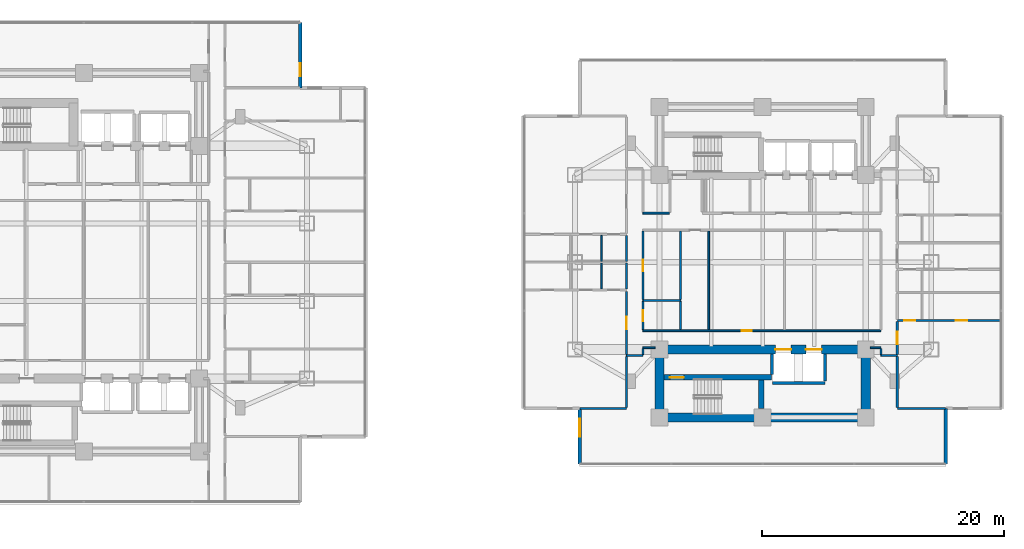
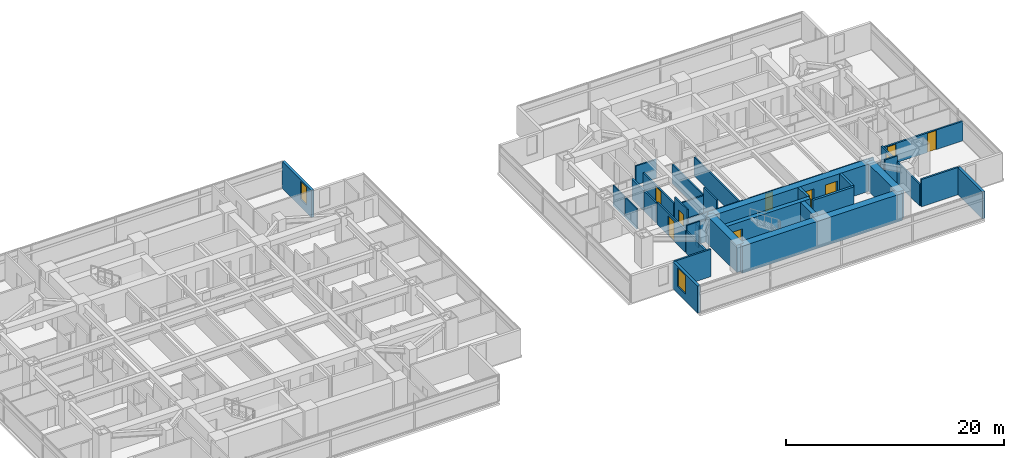
# One storey, part 18 of 26: 37 walls, 10 doors, 2 windows, 12 openings.
"""IFC4 building model written with IfcOpenShell, lengths in metres."""

from ifc_helpers import new_model, si_unit, direction, frame, frame_2d, origin, place, context, subcontext, project, spatial, rectangle, extrude, material, layer, layer_set, type_object, element, fill, save


model = new_model("IFC4")

# Units and contexts
model_context = context("Model", 3, precision=1e-05, world=origin(), true_north=direction((0.0, 1.0)))
body_context = subcontext(model_context, "Body", "Model", "MODEL_VIEW")
ifc_project = project(units=[si_unit("LENGTHUNIT", "METRE"), si_unit("AREAUNIT", "SQUARE_METRE"), si_unit("VOLUMEUNIT", "CUBIC_METRE"), si_unit("PLANEANGLEUNIT", "RADIAN"), si_unit("MASSUNIT", "GRAM", prefix="KILO")], contexts=[model_context])

# Site, building, storey
site_placement = place(None, origin())
site = spatial("IfcSite", under=ifc_project, at=site_placement, CompositionType="ELEMENT")
building_placement = place(site_placement, origin())
building = spatial("IfcBuilding", under=site, at=building_placement, Name="Mirazonda Arch Towers", CompositionType="ELEMENT")
storey_placement = place(building_placement, frame((0.0, 0.0, 48.800048828125)))
storey = spatial("IfcBuildingStorey", under=building, at=storey_placement, Name="L13", CompositionType="ELEMENT", Elevation=48.800048828125)

# Wall, opening, door
ifc_material_1 = material(Name="Concrete C50/60", Category="concrete")
ifc_layer_1 = layer(ifc_material_1, 0.449951171875, Name="WALL-CORE-450")
ifc_layer_set_1 = layer_set([ifc_layer_1], Name="Concrete C50/60")
wall_type_1 = type_object("IfcWallType", Name="WALL-CORE-450", PredefinedType="SHEAR", material=ifc_layer_set_1)
wall_1_placement = place(storey_placement, frame((68.3701171875, 18.5, 0.0), z_axis=(0.0, 0.0, 1.0), x_axis=(1.0, 0.0, 0.0)))
wall_1 = element("IfcWall", 1, at=wall_1_placement, inside=storey, type_object=wall_type_1, Name="L13 Stair Core Shear Wall 015", PredefinedType="SHEAR", context=body_context, shape_type="SweptSolid", body=[
    extrude(rectangle(XDim=8.849853515625, YDim=0.449951171875, at=frame_2d((4.4248046875, 0.0))), origin(), (0.0, 0.0, 1.0), 3.06005859375),
])
opening_1_placement = place(wall_1_placement, frame((0.469970703125, 0.0, 0.0)))
opening_1 = element("IfcOpeningElement", 2, at=opening_1_placement, cuts=wall_1, Name="Opening DR-135", PredefinedType="OPENING", context=body_context, shape_type="SweptSolid", body=[
    extrude(rectangle(XDim=1.14990234375, YDim=2.199951171875, at=frame_2d((0.574951171875, 1.10009765625))), frame((0.0, 0.23486328125, 0.0), z_axis=(0.0, -1.0, 0.0), x_axis=(1.0, 0.0, 0.0)), (0.0, 0.0, 1.0), 0.469970703125),
])
ifc_material_2 = material(Name="Architectural Brushed Steel S355", Category="steel")
door_type_1 = type_object("IfcDoorType", Name="DOOR-STAIR-FD90-1150", OperationType="NOTDEFINED", PredefinedType="DOOR", material=ifc_material_2)
door_1_placement = place(opening_1_placement, origin())
door_1 = element("IfcDoor", 3, at=door_1_placement, inside=storey, type_object=door_type_1, Name="L13 East Protected Stair South Door", OperationType="SINGLE_SWING_RIGHT", OverallHeight=2.199951171875, OverallWidth=1.14990234375, PredefinedType="DOOR", context=body_context, shape_type="SweptSolid", body=[
    extrude(rectangle(XDim=1.14990234375, YDim=2.199951171875, at=frame_2d((0.574951171875, 1.10009765625))), frame((0.0, 0.02490234375, 0.0), z_axis=(0.0, -1.0, 0.0), x_axis=(1.0, 0.0, 0.0)), (0.0, 0.0, 1.0), 0.050048828125),
])
fill(opening_1, door_1)

# Walls
wall_2_placement = place(storey_placement, frame((76.360107421875, 15.9150390625, 0.0), z_axis=(0.0, 0.0, 1.0), x_axis=(0.0, 1.0, 0.0)))
element("IfcWall", 4, at=wall_2_placement, inside=storey, type_object=wall_type_1, Name="L13 Stair Core Shear Wall 145", PredefinedType="SHEAR", context=body_context, shape_type="SweptSolid", body=[
    extrude(rectangle(XDim=2.349853515625, YDim=0.449951171875, at=frame_2d((1.1748046875, 0.0))), origin(), (0.0, 0.0, 1.0), 3.06005859375),
])
ifc_material_3 = material(Name="Concrete C60/75", Category="concrete")
ifc_layer_2 = layer(ifc_material_3, 0.75, Name="WALL-CORE-750")
ifc_layer_set_2 = layer_set([ifc_layer_2], Name="Concrete C60/75")
wall_type_2 = type_object("IfcWallType", Name="WALL-CORE-750", PredefinedType="SHEAR", material=ifc_layer_set_2)
wall_3_placement = place(storey_placement, frame((68.0, 15.199951171875, 0.0), z_axis=(0.0, 0.0, 1.0), x_axis=(1.0, 0.0, 0.0)))
element("IfcWall", 5, at=wall_3_placement, inside=storey, type_object=wall_type_2, Name="L13 T2S-S Core Shear Wall", PredefinedType="SHEAR", context=body_context, shape_type="SweptSolid", body=[
    extrude(rectangle(XDim=17.0, YDim=0.75, at=frame_2d((8.5, 0.0))), origin(), (0.0, 0.0, 1.0), 3.06005859375),
])
for number, where, z_axis, x_axis, name in (
    (6, (68.0, 15.199951171875, 0.0), (0.0, 0.0, 1.0), (0.0, 1.0, 0.0), "L13 T2S-W Core Shear Wall"),
    (7, (85.0, 15.199951171875, 0.0), (0.0, 0.0, 1.0), (0.0, 1.0, 0.0), "L13 T2S-E Core Shear Wall"),
):
    element("IfcWall", number, at=place(storey_placement, frame(where, z_axis=z_axis, x_axis=x_axis)), inside=storey, type_object=wall_type_2, Name=name, PredefinedType="SHEAR", context=body_context, shape_type="SweptSolid", body=[
        extrude(rectangle(XDim=5.60009765625, YDim=0.75, at=frame_2d((2.800048828125, 0.0))), origin(), (0.0, 0.0, 1.0), 3.06005859375),
    ])

# Wall, openings, doors
wall_4_placement = place(storey_placement, frame((68.0, 20.800048828125, 0.0), z_axis=(0.0, 0.0, 1.0), x_axis=(1.0, 0.0, 0.0)))
wall_4 = element("IfcWall", 8, at=wall_4_placement, inside=storey, type_object=wall_type_2, Name="L13 T2S-N Core Shear Wall", PredefinedType="SHEAR", context=body_context, shape_type="SweptSolid", body=[
    extrude(rectangle(XDim=17.0, YDim=0.75, at=frame_2d((8.5, 0.0))), origin(), (0.0, 0.0, 1.0), 3.06005859375),
])
opening_2_placement = place(wall_4_placement, frame((9.550048828125, 0.0, 0.0)))
opening_2 = element("IfcOpeningElement", 9, at=opening_2_placement, cuts=wall_4, Name="Opening LD-111", PredefinedType="OPENING", context=body_context, shape_type="SweptSolid", body=[
    extrude(rectangle(XDim=1.300048828125, YDim=2.300048828125, at=frame_2d((0.64990234375, 1.14990234375))), frame((0.0, 0.385009765625, 0.0), z_axis=(0.0, -1.0, 0.0), x_axis=(1.0, 0.0, 0.0)), (0.0, 0.0, 1.0), 0.77001953125),
])
opening_3_placement = place(wall_4_placement, frame((12.050048828125, 0.0, 0.0)))
opening_3 = element("IfcOpeningElement", 10, at=opening_3_placement, cuts=wall_4, Name="Opening LD-111", PredefinedType="OPENING", context=body_context, shape_type="SweptSolid", body=[
    extrude(rectangle(XDim=1.300048828125, YDim=2.300048828125, at=frame_2d((0.64990234375, 1.14990234375))), frame((0.0, 0.385009765625, 0.0), z_axis=(0.0, -1.0, 0.0), x_axis=(1.0, 0.0, 0.0)), (0.0, 0.0, 1.0), 0.77001953125),
])
door_type_2 = type_object("IfcDoorType", Name="DOOR-LIFT-LAND-1300", OperationType="NOTDEFINED", PredefinedType="DOOR", material=ifc_material_2)
door_2_placement = place(opening_2_placement, origin())
door_2 = element("IfcDoor", 11, at=door_2_placement, inside=storey, type_object=door_type_2, Name="L13 Lift Landing Sliding Door PL-T2H1", OperationType="DOUBLE_DOOR_SLIDING", OverallHeight=2.300048828125, OverallWidth=1.300048828125, PredefinedType="DOOR", context=body_context, shape_type="SweptSolid", body=[
    extrude(rectangle(XDim=1.300048828125, YDim=2.300048828125, at=frame_2d((0.64990234375, 1.14990234375))), frame((0.0, 0.02490234375, 0.0), z_axis=(0.0, -1.0, 0.0), x_axis=(1.0, 0.0, 0.0)), (0.0, 0.0, 1.0), 0.050048828125),
])
fill(opening_2, door_2)
door_3_placement = place(opening_3_placement, origin())
door_3 = element("IfcDoor", 12, at=door_3_placement, inside=storey, type_object=door_type_2, Name="L13 Lift Landing Sliding Door PL-T2H2", OperationType="DOUBLE_DOOR_SLIDING", OverallHeight=2.300048828125, OverallWidth=1.300048828125, PredefinedType="DOOR", context=body_context, shape_type="SweptSolid", body=[
    extrude(rectangle(XDim=1.300048828125, YDim=2.300048828125, at=frame_2d((0.64990234375, 1.14990234375))), frame((0.0, 0.02490234375, 0.0), z_axis=(0.0, -1.0, 0.0), x_axis=(1.0, 0.0, 0.0)), (0.0, 0.0, 1.0), 0.050048828125),
])
fill(opening_3, door_3)

# Wall, opening, window
ifc_material_4 = material(Name="Precast Concrete C40/50", Category="concrete")
ifc_layer_3 = layer(ifc_material_4, 0.280029296875, Name="WALL-EXT-WALL-280")
ifc_layer_set_3 = layer_set([ifc_layer_3], Name="Precast Concrete C40/50")
wall_type_3 = type_object("IfcWallType", Name="WALL-EXT-WALL-280", PredefinedType="SOLIDWALL", material=ifc_layer_set_3)
wall_5_placement = place(storey_placement, frame((38.340087890625, 42.384033203125, 0.0), z_axis=(0.0, 0.0, 1.0), x_axis=(0.0, 1.0, 0.0)))
wall_5 = element("IfcWall", 13, at=wall_5_placement, inside=storey, type_object=wall_type_3, Name="L13 T1 Notched NE Corner Wall WL-L13-T1-CNE", PredefinedType="SOLIDWALL", context=body_context, shape_type="SweptSolid", body=[
    extrude(rectangle(XDim=5.3798828125, YDim=0.280029296875, at=frame_2d((2.68994140625, 0.0))), origin(), (0.0, 0.0, 1.0), 3.0400390625),
])
opening_4_placement = place(wall_5_placement, frame((0.949951171875, 0.0, 0.85009765625)))
opening_4 = element("IfcOpeningElement", 14, at=opening_4_placement, cuts=wall_5, Name="Opening WN-108", PredefinedType="OPENING", context=body_context, shape_type="SweptSolid", body=[
    extrude(rectangle(XDim=1.10009765625, YDim=2.0, at=frame_2d((0.550048828125, 1.0))), frame((0.0, 0.14990234375, 0.0), z_axis=(0.0, -1.0, 0.0), x_axis=(1.0, 0.0, 0.0)), (0.0, 0.0, 1.0), 0.300048828125),
])
ifc_material_5 = material(Name="Insulated Low-E Solar Glass", Category="glass")
window_type_1 = type_object("IfcWindowType", Name="WIN-NOTCH-1100x2000", PartitioningType="SINGLE_PANEL", PredefinedType="WINDOW", material=ifc_material_5)
window_1_placement = place(opening_4_placement, origin())
window_1 = element("IfcWindow", 15, at=window_1_placement, inside=storey, type_object=window_type_1, Name="L13 Punched Facade Window WN-L13-T1-CNE", OverallHeight=2.0, OverallWidth=1.10009765625, PartitioningType="SINGLE_PANEL", PredefinedType="WINDOW", context=body_context, shape_type="SweptSolid", body=[
    extrude(rectangle(XDim=1.10009765625, YDim=2.0, at=frame_2d((0.550048828125, 1.0))), frame((0.0, 0.030029296875, 0.0), z_axis=(0.0, -1.0, 0.0), x_axis=(1.0, 0.0, 0.0)), (0.0, 0.0, 1.0), 0.06005859375),
])
fill(opening_4, window_1)

wall_6_placement = place(storey_placement, frame((61.39599609375, 15.93359375, 0.0), z_axis=(0.0, 0.0, 1.0), x_axis=(0.0, -1.0, 0.0)))
wall_6 = element("IfcWall", 16, at=wall_6_placement, inside=storey, type_object=wall_type_3, Name="L13 T2 Notched SW Corner Wall WL-L13-T2-CSW", PredefinedType="SOLIDWALL", context=body_context, shape_type="SweptSolid", body=[
    extrude(rectangle(XDim=4.580078125, YDim=0.280029296875, at=frame_2d((2.2900390625, 0.0))), origin(), (0.0, 0.0, 1.0), 3.0400390625),
])
opening_5_placement = place(wall_6_placement, frame((0.85009765625, 0.0, 0.7900390625)))
opening_5 = element("IfcOpeningElement", 17, at=opening_5_placement, cuts=wall_6, Name="Opening WN-120", PredefinedType="OPENING", context=body_context, shape_type="SweptSolid", body=[
    extrude(rectangle(XDim=1.5, YDim=2.10009765625, at=frame_2d((0.75, 1.050048828125))), frame((0.0, 0.14990234375, 0.0), z_axis=(0.0, -1.0, 0.0), x_axis=(1.0, 0.0, 0.0)), (0.0, 0.0, 1.0), 0.300048828125),
])
window_type_2 = type_object("IfcWindowType", Name="WIN-HTL-1500x2100", PartitioningType="SINGLE_PANEL", PredefinedType="WINDOW", material=ifc_material_5)
window_2_placement = place(opening_5_placement, origin())
window_2 = element("IfcWindow", 18, at=window_2_placement, inside=storey, type_object=window_type_2, Name="L13 Punched Facade Window WN-L13-T2-CSW", OverallHeight=2.10009765625, OverallWidth=1.5, PartitioningType="SINGLE_PANEL", PredefinedType="WINDOW", context=body_context, shape_type="SweptSolid", body=[
    extrude(rectangle(XDim=1.5, YDim=2.10009765625, at=frame_2d((0.75, 1.050048828125))), frame((0.0, 0.030029296875, 0.0), z_axis=(0.0, -1.0, 0.0), x_axis=(1.0, 0.0, 0.0)), (0.0, 0.0, 1.0), 0.06005859375),
])
fill(opening_5, window_2)

# Walls
wall_7_placement = place(storey_placement, frame((91.60400390625, 11.353515625, 0.0), z_axis=(0.0, 0.0, 1.0), x_axis=(0.0, 1.0, 0.0)))
element("IfcWall", 19, at=wall_7_placement, inside=storey, type_object=wall_type_3, Name="L13 T2 Corner Notch Return Wall WL-L13-T2-CSE2", PredefinedType="SOLIDWALL", context=body_context, shape_type="SweptSolid", body=[
    extrude(rectangle(XDim=4.580078125, YDim=0.280029296875, at=frame_2d((2.2900390625, 0.0))), origin(), (0.0, 0.0, 1.0), 3.0400390625),
])
ifc_material_6 = material(Name="Fire-Rated Gypsum Stud Partition")
ifc_layer_4 = layer(ifc_material_6, 0.14990234375, Name="WALL-PART-CORR-150")
ifc_layer_set_4 = layer_set([ifc_layer_4], Name="Fire-Rated Gypsum Stud Partition")
wall_type_4 = type_object("IfcWallType", Name="WALL-PART-CORR-150", PredefinedType="PARTITIONING", material=ifc_layer_set_4)
wall_8_placement = place(storey_placement, frame((65.25, 20.300048828125, 0.0), z_axis=(0.0, 0.0, 1.0), x_axis=(1.0, 0.0, 0.0)))
element("IfcWall", 20, at=wall_8_placement, inside=storey, type_object=wall_type_4, Name="L13 Interior Partition 018", PredefinedType="PARTITIONING", context=body_context, shape_type="SweptSolid", body=[
    extrude(rectangle(XDim=1.3701171875, YDim=0.14990234375, at=frame_2d((0.68505859375, 0.0))), origin(), (0.0, 0.0, 1.0), 3.06005859375),
])
wall_9_placement = place(storey_placement, frame((86.25, 20.300048828125, 0.0), z_axis=(0.0, 0.0, 1.0), x_axis=(1.0, 0.0, 0.0)))
element("IfcWall", 21, at=wall_9_placement, inside=storey, type_object=wall_type_4, Name="L13 Interior Partition 019", PredefinedType="PARTITIONING", context=body_context, shape_type="SweptSolid", body=[
    extrude(rectangle(XDim=1.35009765625, YDim=0.14990234375, at=frame_2d((0.675048828125, 0.0))), origin(), (0.0, 0.0, 1.0), 3.06005859375),
])
wall_10_placement = place(storey_placement, frame((66.6201171875, 20.949951171875, 0.0), z_axis=(0.0, 0.0, 1.0), x_axis=(1.0, 0.0, 0.0)))
element("IfcWall", 22, at=wall_10_placement, inside=storey, type_object=wall_type_4, Name="L13 Interior Partition 021", PredefinedType="PARTITIONING", context=body_context, shape_type="SweptSolid", body=[
    extrude(rectangle(XDim=1.009765625, YDim=0.14990234375, at=frame_2d((0.5048828125, 0.0))), origin(), (0.0, 0.0, 1.0), 2.451904296875),
])
wall_11_placement = place(storey_placement, frame((85.3701171875, 20.949951171875, 0.0), z_axis=(0.0, 0.0, 1.0), x_axis=(1.0, 0.0, 0.0)))
element("IfcWall", 23, at=wall_11_placement, inside=storey, type_object=wall_type_4, Name="L13 Interior Partition 022", PredefinedType="PARTITIONING", context=body_context, shape_type="SweptSolid", body=[
    extrude(rectangle(XDim=0.8798828125, YDim=0.14990234375, at=frame_2d((0.43994140625, 0.0))), origin(), (0.0, 0.0, 1.0), 2.451904296875),
])

# Wall, opening, door
wall_12_placement = place(storey_placement, frame((66.6201171875, 22.35009765625, 0.0), z_axis=(0.0, 0.0, 1.0), x_axis=(1.0, 0.0, 0.0)))
wall_12 = element("IfcWall", 24, at=wall_12_placement, inside=storey, type_object=wall_type_4, Name="L13 Interior Partition 024", PredefinedType="PARTITIONING", context=body_context, shape_type="SweptSolid", body=[
    extrude(rectangle(XDim=19.6298828125, YDim=0.14990234375, at=frame_2d((9.81494140625, 0.0))), origin(), (0.0, 0.0, 1.0), 2.125),
])
opening_6_placement = place(wall_12_placement, frame((8.12890625, 0.0, 0.0)))
opening_6 = element("IfcOpeningElement", 25, at=opening_6_placement, cuts=wall_12, Name="Opening DR-128", PredefinedType="OPENING", context=body_context, shape_type="SweptSolid", body=[
    extrude(rectangle(XDim=0.85009765625, YDim=2.010009765625, at=frame_2d((0.425048828125, 1.0048828125))), frame((0.0, 0.0849609375, 0.0), z_axis=(0.0, -1.0, 0.0), x_axis=(1.0, 0.0, 0.0)), (0.0, 0.0, 1.0), 0.169921875),
])
door_type_3 = type_object("IfcDoorType", Name="DOOR-RISER-FD60-850", OperationType="NOTDEFINED", PredefinedType="DOOR", material=ifc_material_2)
door_4_placement = place(opening_6_placement, origin())
door_4 = element("IfcDoor", 26, at=door_4_placement, inside=storey, type_object=door_type_3, Name="L13 Residents Private Library Door", OperationType="SINGLE_SWING_LEFT", OverallHeight=2.010009765625, OverallWidth=0.85009765625, PredefinedType="DOOR", context=body_context, shape_type="SweptSolid", body=[
    extrude(rectangle(XDim=0.85009765625, YDim=2.010009765625, at=frame_2d((0.425048828125, 1.0048828125))), frame((0.0, 0.02490234375, 0.0), z_axis=(0.0, -1.0, 0.0), x_axis=(1.0, 0.0, 0.0)), (0.0, 0.0, 1.0), 0.050048828125),
])
fill(opening_6, door_4)

# Walls
wall_13_placement = place(storey_placement, frame((66.6201171875, 24.85009765625, 0.0), z_axis=(0.0, 0.0, 1.0), x_axis=(1.0, 0.0, 0.0)))
element("IfcWall", 27, at=wall_13_placement, inside=storey, type_object=wall_type_4, Name="L13 Interior Partition 027", PredefinedType="PARTITIONING", context=body_context, shape_type="SweptSolid", body=[
    extrude(rectangle(XDim=3.1298828125, YDim=0.14990234375, at=frame_2d((1.56494140625, 0.0))), origin(), (0.0, 0.0, 1.0), 2.125),
])
wall_14_placement = place(storey_placement, frame((66.6201171875, 32.050048828125, 0.0), z_axis=(0.0, 0.0, 1.0), x_axis=(1.0, 0.0, 0.0)))
element("IfcWall", 28, at=wall_14_placement, inside=storey, type_object=wall_type_4, Name="L13 Interior Partition 041", PredefinedType="PARTITIONING", context=body_context, shape_type="SweptSolid", body=[
    extrude(rectangle(XDim=2.179931640625, YDim=0.14990234375, at=frame_2d((1.08984375, 0.0))), origin(), (0.0, 0.0, 1.0), 2.125),
])
wall_15_placement = place(storey_placement, frame((66.6201171875, 20.385009765625, 0.0), z_axis=(0.0, 0.0, 1.0), x_axis=(0.0, 1.0, 0.0)))
element("IfcWall", 29, at=wall_15_placement, inside=storey, type_object=wall_type_4, Name="L13 Interior Partition 134", PredefinedType="PARTITIONING", context=body_context, shape_type="SweptSolid", body=[
    extrude(rectangle(XDim=0.47998046875, YDim=0.14990234375, at=frame_2d((0.239990234375, 0.0))), origin(), (0.0, 0.0, 1.0), 2.451904296875),
])

# Wall, opening, door
wall_16_placement = place(storey_placement, frame((66.6201171875, 22.43505859375, 0.0), z_axis=(0.0, 0.0, 1.0), x_axis=(0.0, 1.0, 0.0)))
wall_16 = element("IfcWall", 30, at=wall_16_placement, inside=storey, type_object=wall_type_4, Name="L13 Interior Partition 135", PredefinedType="PARTITIONING", context=body_context, shape_type="SweptSolid", body=[
    extrude(rectangle(XDim=2.329833984375, YDim=0.14990234375, at=frame_2d((1.1650390625, 0.0))), origin(), (0.0, 0.0, 1.0), 3.06005859375),
])
opening_7_placement = place(wall_16_placement, frame((0.715087890625, 0.0, 0.0)))
opening_7 = element("IfcOpeningElement", 31, at=opening_7_placement, cuts=wall_16, Name="Opening DR-120", PredefinedType="OPENING", context=body_context, shape_type="SweptSolid", body=[
    extrude(rectangle(XDim=0.89990234375, YDim=2.10009765625, at=frame_2d((0.449951171875, 1.050048828125))), frame((0.0, 0.0849609375, 0.0), z_axis=(0.0, -1.0, 0.0), x_axis=(1.0, 0.0, 0.0)), (0.0, 0.0, 1.0), 0.169921875),
])
door_type_4 = type_object("IfcDoorType", Name="DOOR-WC-900", OperationType="NOTDEFINED", PredefinedType="DOOR", material=ifc_material_2)
door_5_placement = place(opening_7_placement, origin())
door_5 = element("IfcDoor", 32, at=door_5_placement, inside=storey, type_object=door_type_4, Name="L13 Tower 2 Common Accessible WC Door", OperationType="SINGLE_SWING_LEFT", OverallHeight=2.10009765625, OverallWidth=0.89990234375, PredefinedType="DOOR", context=body_context, shape_type="SweptSolid", body=[
    extrude(rectangle(XDim=0.89990234375, YDim=2.10009765625, at=frame_2d((0.449951171875, 1.050048828125))), frame((0.0, 0.02490234375, 0.0), z_axis=(0.0, -1.0, 0.0), x_axis=(1.0, 0.0, 0.0)), (0.0, 0.0, 1.0), 0.050048828125),
])
fill(opening_7, door_5)

wall_17_placement = place(storey_placement, frame((66.6201171875, 24.93505859375, 0.0), z_axis=(0.0, 0.0, 1.0), x_axis=(0.0, 1.0, 0.0)))
wall_17 = element("IfcWall", 33, at=wall_17_placement, inside=storey, type_object=wall_type_4, Name="L13 Interior Partition 136", PredefinedType="PARTITIONING", context=body_context, shape_type="SweptSolid", body=[
    extrude(rectangle(XDim=5.6298828125, YDim=0.14990234375, at=frame_2d((2.81494140625, 0.0))), origin(), (0.0, 0.0, 1.0), 2.279052734375),
])
opening_8_placement = place(wall_17_placement, frame((2.340087890625, 0.0, 0.0)))
opening_8 = element("IfcOpeningElement", 34, at=opening_8_placement, cuts=wall_17, Name="Opening DR-104", PredefinedType="OPENING", context=body_context, shape_type="SweptSolid", body=[
    extrude(rectangle(XDim=0.949951171875, YDim=2.14990234375, at=frame_2d((0.47509765625, 1.074951171875))), frame((0.0, 0.0849609375, 0.0), z_axis=(0.0, -1.0, 0.0), x_axis=(1.0, 0.0, 0.0)), (0.0, 0.0, 1.0), 0.169921875),
])
door_type_5 = type_object("IfcDoorType", Name="DOOR-ROOM-950", OperationType="NOTDEFINED", PredefinedType="DOOR", material=ifc_material_2)
door_6_placement = place(opening_8_placement, origin())
door_6 = element("IfcDoor", 35, at=door_6_placement, inside=storey, type_object=door_type_5, Name="L13 L13 East Courtyard Reading Study Door", OperationType="SINGLE_SWING_LEFT", OverallHeight=2.14990234375, OverallWidth=0.949951171875, PredefinedType="DOOR", context=body_context, shape_type="SweptSolid", body=[
    extrude(rectangle(XDim=0.949951171875, YDim=2.14990234375, at=frame_2d((0.47509765625, 1.074951171875))), frame((0.0, 0.02490234375, 0.0), z_axis=(0.0, -1.0, 0.0), x_axis=(1.0, 0.0, 0.0)), (0.0, 0.0, 1.0), 0.050048828125),
])
fill(opening_8, door_6)

# Walls
wall_18_placement = place(storey_placement, frame((69.723388671875, 22.43505859375, 0.0), z_axis=(0.0, 0.0, 1.0), x_axis=(0.0, 1.0, 0.0)))
element("IfcWall", 36, at=wall_18_placement, inside=storey, type_object=wall_type_4, Name="L13 Interior Partition 139", PredefinedType="PARTITIONING", context=body_context, shape_type="SweptSolid", body=[
    extrude(rectangle(XDim=2.329833984375, YDim=0.14990234375, at=frame_2d((1.1650390625, 0.0))), origin(), (0.0, 0.0, 1.0), 3.06005859375),
])
wall_19_placement = place(storey_placement, frame((69.723388671875, 24.93505859375, 0.0), z_axis=(0.0, 0.0, 1.0), x_axis=(0.0, 1.0, 0.0)))
element("IfcWall", 37, at=wall_19_placement, inside=storey, type_object=wall_type_4, Name="L13 Interior Partition 140", PredefinedType="PARTITIONING", context=body_context, shape_type="SweptSolid", body=[
    extrude(rectangle(XDim=5.6298828125, YDim=0.14990234375, at=frame_2d((2.81494140625, 0.0))), origin(), (0.0, 0.0, 1.0), 2.125),
])
wall_20_placement = place(storey_placement, frame((72.050048828125, 22.43505859375, 0.0), z_axis=(0.0, 0.0, 1.0), x_axis=(0.0, 1.0, 0.0)))
element("IfcWall", 38, at=wall_20_placement, inside=storey, type_object=wall_type_4, Name="L13 Interior Partition 143", PredefinedType="PARTITIONING", context=body_context, shape_type="SweptSolid", body=[
    extrude(rectangle(XDim=8.1298828125, YDim=0.14990234375, at=frame_2d((4.06494140625, 0.0))), origin(), (0.0, 0.0, 1.0), 2.125),
])
wall_21_placement = place(storey_placement, frame((86.25, 20.385009765625, 0.0), z_axis=(0.0, 0.0, 1.0), x_axis=(0.0, 1.0, 0.0)))
element("IfcWall", 39, at=wall_21_placement, inside=storey, type_object=wall_type_4, Name="L13 Interior Partition 153", PredefinedType="PARTITIONING", context=body_context, shape_type="SweptSolid", body=[
    extrude(rectangle(XDim=0.47998046875, YDim=0.14990234375, at=frame_2d((0.239990234375, 0.0))), origin(), (0.0, 0.0, 1.0), 2.451904296875),
])
ifc_material_7 = material(Name="Fire-Rated Gypsum Twin-Stud Assembly")
ifc_layer_5 = layer(ifc_material_7, 0.179931640625, Name="WALL-PART-DEMISE-180")
ifc_layer_set_5 = layer_set([ifc_layer_5], Name="Fire-Rated Gypsum Twin-Stud Assembly")
wall_type_5 = type_object("IfcWallType", Name="WALL-PART-DEMISE-180", PredefinedType="PARTITIONING", material=ifc_layer_set_5)
wall_22_placement = place(storey_placement, frame((61.416015625, 15.93408203125, 0.0), z_axis=(0.0, 0.0, 1.0), x_axis=(1.0, 0.0, 0.0)))
element("IfcWall", 40, at=wall_22_placement, inside=storey, type_object=wall_type_5, Name="L13 Interior Partition 008", PredefinedType="PARTITIONING", context=body_context, shape_type="SweptSolid", body=[
    extrude(rectangle(XDim=3.833984375, YDim=0.179931640625, at=frame_2d((1.9169921875, 0.0))), origin(), (0.0, 0.0, 1.0), 3.06005859375),
])
wall_23_placement = place(storey_placement, frame((87.60009765625, 15.93408203125, 0.0), z_axis=(0.0, 0.0, 1.0), x_axis=(1.0, 0.0, 0.0)))
element("IfcWall", 41, at=wall_23_placement, inside=storey, type_object=wall_type_5, Name="L13 Interior Partition 009", PredefinedType="PARTITIONING", context=body_context, shape_type="SweptSolid", body=[
    extrude(rectangle(XDim=3.98388671875, YDim=0.179931640625, at=frame_2d((1.991943359375, 0.0))), origin(), (0.0, 0.0, 1.0), 3.06005859375),
])

# Wall, openings, doors
wall_24_placement = place(storey_placement, frame((87.60009765625, 23.19189453125, 0.0), z_axis=(0.0, 0.0, 1.0), x_axis=(1.0, 0.0, 0.0)))
wall_24 = element("IfcWall", 42, at=wall_24_placement, inside=storey, type_object=wall_type_5, Name="L13 Interior Partition 026", PredefinedType="PARTITIONING", context=body_context, shape_type="SweptSolid", body=[
    extrude(rectangle(XDim=8.583984375, YDim=0.179931640625, at=frame_2d((4.2919921875, 0.0))), origin(), (0.0, 0.0, 1.0), 2.196044921875),
])
opening_9_placement = place(wall_24_placement, frame((4.81689453125, 0.0, 0.0)))
opening_9 = element("IfcOpeningElement", 43, at=opening_9_placement, cuts=wall_24, Name="Opening DR-104", PredefinedType="OPENING", context=body_context, shape_type="SweptSolid", body=[
    extrude(rectangle(XDim=0.949951171875, YDim=2.14990234375, at=frame_2d((0.47509765625, 1.074951171875))), frame((0.0, 0.099853515625, 0.0), z_axis=(0.0, -1.0, 0.0), x_axis=(1.0, 0.0, 0.0)), (0.0, 0.0, 1.0), 0.199951171875),
])
opening_10_placement = place(wall_24_placement, frame((0.590087890625, 0.0, 0.0)))
opening_10 = element("IfcOpeningElement", 44, at=opening_10_placement, cuts=wall_24, Name="Opening DR-120", PredefinedType="OPENING", context=body_context, shape_type="SweptSolid", body=[
    extrude(rectangle(XDim=0.89990234375, YDim=2.10009765625, at=frame_2d((0.449951171875, 1.050048828125))), frame((0.0, 0.099853515625, 0.0), z_axis=(0.0, -1.0, 0.0), x_axis=(1.0, 0.0, 0.0)), (0.0, 0.0, 1.0), 0.199951171875),
])
door_7_placement = place(opening_9_placement, origin())
door_7 = element("IfcDoor", 45, at=door_7_placement, inside=storey, type_object=door_type_5, Name="L13 Studio 1 Galley Kitchen Door", OperationType="SINGLE_SWING_LEFT", OverallHeight=2.14990234375, OverallWidth=0.949951171875, PredefinedType="DOOR", context=body_context, shape_type="SweptSolid", body=[
    extrude(rectangle(XDim=0.949951171875, YDim=2.14990234375, at=frame_2d((0.47509765625, 1.074951171875))), frame((0.0, 0.02490234375, 0.0), z_axis=(0.0, -1.0, 0.0), x_axis=(1.0, 0.0, 0.0)), (0.0, 0.0, 1.0), 0.050048828125),
])
fill(opening_9, door_7)
door_8_placement = place(opening_10_placement, origin())
door_8 = element("IfcDoor", 46, at=door_8_placement, inside=storey, type_object=door_type_4, Name="L13 Studio 1 Bathroom Door", OperationType="SINGLE_SWING_RIGHT", OverallHeight=2.10009765625, OverallWidth=0.89990234375, PredefinedType="DOOR", context=body_context, shape_type="SweptSolid", body=[
    extrude(rectangle(XDim=0.89990234375, YDim=2.10009765625, at=frame_2d((0.449951171875, 1.050048828125))), frame((0.0, 0.02490234375, 0.0), z_axis=(0.0, -1.0, 0.0), x_axis=(1.0, 0.0, 0.0)), (0.0, 0.0, 1.0), 0.050048828125),
])
fill(opening_10, door_8)

# Wall
wall_25_placement = place(storey_placement, frame((65.25, 16.033935546875, 0.0), z_axis=(0.0, 0.0, 1.0), x_axis=(0.0, 1.0, 0.0)))
element("IfcWall", 47, at=wall_25_placement, inside=storey, type_object=wall_type_5, Name="L13 Interior Partition 128", PredefinedType="PARTITIONING", context=body_context, shape_type="SweptSolid", body=[
    extrude(rectangle(XDim=4.18115234375, YDim=0.179931640625, at=frame_2d((2.090576171875, 0.0))), origin(), (0.0, 0.0, 1.0), 2.43603515625),
])

# Wall, opening, door
wall_26_placement = place(storey_placement, frame((65.25, 20.385009765625, 0.0), z_axis=(0.0, 0.0, 1.0), x_axis=(0.0, 1.0, 0.0)))
wall_26 = element("IfcWall", 48, at=wall_26_placement, inside=storey, type_object=wall_type_5, Name="L13 Interior Partition 129", PredefinedType="PARTITIONING", context=body_context, shape_type="SweptSolid", body=[
    extrude(rectangle(XDim=5.215087890625, YDim=0.179931640625, at=frame_2d((2.607421875, 0.0))), origin(), (0.0, 0.0, 1.0), 2.451904296875),
])
opening_11_placement = place(wall_26_placement, frame((2.08251953125, 0.0, 0.0)))
opening_11 = element("IfcOpeningElement", 49, at=opening_11_placement, cuts=wall_26, Name="Opening DR-121", PredefinedType="OPENING", context=body_context, shape_type="SweptSolid", body=[
    extrude(rectangle(XDim=1.050048828125, YDim=2.199951171875, at=frame_2d((0.52490234375, 1.10009765625))), frame((0.0, 0.099853515625, 0.0), z_axis=(0.0, -1.0, 0.0), x_axis=(1.0, 0.0, 0.0)), (0.0, 0.0, 1.0), 0.199951171875),
])
door_type_6 = type_object("IfcDoorType", Name="DOOR-SUITE-FD60-1050", OperationType="NOTDEFINED", PredefinedType="DOOR", material=ifc_material_2)
door_9_placement = place(opening_11_placement, origin())
door_9 = element("IfcDoor", 50, at=door_9_placement, inside=storey, type_object=door_type_6, Name="L13 Residence 1 Living & Dining Salon Door", OperationType="SINGLE_SWING_RIGHT", OverallHeight=2.199951171875, OverallWidth=1.050048828125, PredefinedType="DOOR", context=body_context, shape_type="SweptSolid", body=[
    extrude(rectangle(XDim=1.050048828125, YDim=2.199951171875, at=frame_2d((0.52490234375, 1.10009765625))), frame((0.0, 0.02490234375, 0.0), z_axis=(0.0, -1.0, 0.0), x_axis=(1.0, 0.0, 0.0)), (0.0, 0.0, 1.0), 0.050048828125),
])
fill(opening_11, door_9)

# Walls
wall_27_placement = place(storey_placement, frame((65.25, 25.800048828125, 0.0), z_axis=(0.0, 0.0, 1.0), x_axis=(0.0, 1.0, 0.0)))
element("IfcWall", 51, at=wall_27_placement, inside=storey, type_object=wall_type_5, Name="L13 Interior Partition 130", PredefinedType="PARTITIONING", context=body_context, shape_type="SweptSolid", body=[
    extrude(rectangle(XDim=2.12744140625, YDim=0.179931640625, at=frame_2d((1.063720703125, 0.0))), origin(), (0.0, 0.0, 1.0), 2.279052734375),
])
wall_28_placement = place(storey_placement, frame((65.25, 28.072509765625, 0.0), z_axis=(0.0, 0.0, 1.0), x_axis=(0.0, 1.0, 0.0)))
element("IfcWall", 52, at=wall_28_placement, inside=storey, type_object=wall_type_5, Name="L13 Interior Partition 131", PredefinedType="PARTITIONING", context=body_context, shape_type="SweptSolid", body=[
    extrude(rectangle(XDim=2.142578125, YDim=0.179931640625, at=frame_2d((1.0712890625, 0.0))), origin(), (0.0, 0.0, 1.0), 2.279052734375),
])
wall_29_placement = place(storey_placement, frame((87.60009765625, 16.033935546875, 0.0), z_axis=(0.0, 0.0, 1.0), x_axis=(0.0, 1.0, 0.0)))
element("IfcWall", 53, at=wall_29_placement, inside=storey, type_object=wall_type_5, Name="L13 Interior Partition 157", PredefinedType="PARTITIONING", context=body_context, shape_type="SweptSolid", body=[
    extrude(rectangle(XDim=4.18115234375, YDim=0.179931640625, at=frame_2d((2.090576171875, 0.0))), origin(), (0.0, 0.0, 1.0), 2.43603515625),
])

# Wall, opening, door
wall_30_placement = place(storey_placement, frame((87.60009765625, 20.385009765625, 0.0), z_axis=(0.0, 0.0, 1.0), x_axis=(0.0, 1.0, 0.0)))
wall_30 = element("IfcWall", 54, at=wall_30_placement, inside=storey, type_object=wall_type_5, Name="L13 Interior Partition 158", PredefinedType="PARTITIONING", context=body_context, shape_type="SweptSolid", body=[
    extrude(rectangle(XDim=2.70703125, YDim=0.179931640625, at=frame_2d((1.353515625, 0.0))), origin(), (0.0, 0.0, 1.0), 2.451904296875),
])
opening_12_placement = place(wall_30_placement, frame((0.82861328125, 0.0, 0.0)))
opening_12 = element("IfcOpeningElement", 55, at=opening_12_placement, cuts=wall_30, Name="Opening DR-121", PredefinedType="OPENING", context=body_context, shape_type="SweptSolid", body=[
    extrude(rectangle(XDim=1.050048828125, YDim=2.199951171875, at=frame_2d((0.52490234375, 1.10009765625))), frame((0.0, 0.099853515625, 0.0), z_axis=(0.0, -1.0, 0.0), x_axis=(1.0, 0.0, 0.0)), (0.0, 0.0, 1.0), 0.199951171875),
])
door_10_placement = place(opening_12_placement, origin())
door_10 = element("IfcDoor", 56, at=door_10_placement, inside=storey, type_object=door_type_6, Name="L13 Studio Apartment 1 Living Salon Door", OperationType="SINGLE_SWING_RIGHT", OverallHeight=2.199951171875, OverallWidth=1.050048828125, PredefinedType="DOOR", context=body_context, shape_type="SweptSolid", body=[
    extrude(rectangle(XDim=1.050048828125, YDim=2.199951171875, at=frame_2d((0.52490234375, 1.10009765625))), frame((0.0, 0.02490234375, 0.0), z_axis=(0.0, -1.0, 0.0), x_axis=(1.0, 0.0, 0.0)), (0.0, 0.0, 1.0), 0.050048828125),
])
fill(opening_12, door_10)

# Walls
ifc_material_8 = material(Name="Acoustic Fire-Rated Gypsum Partition")
ifc_layer_6 = layer(ifc_material_8, 0.125, Name="WALL-PART-UNIT-125")
ifc_layer_set_6 = layer_set([ifc_layer_6], Name="Acoustic Fire-Rated Gypsum Partition")
wall_type_6 = type_object("IfcWallType", Name="WALL-PART-UNIT-125", PredefinedType="PARTITIONING", material=ifc_layer_set_6)
wall_31_placement = place(storey_placement, frame((63.2099609375, 25.800048828125, 0.0), z_axis=(0.0, 0.0, 1.0), x_axis=(0.0, 1.0, 0.0)))
element("IfcWall", 57, at=wall_31_placement, inside=storey, type_object=wall_type_6, Name="L13 Interior Partition 126", PredefinedType="PARTITIONING", context=body_context, shape_type="SweptSolid", body=[
    extrude(rectangle(XDim=2.12744140625, YDim=0.125, at=frame_2d((1.063720703125, 0.0))), origin(), (0.0, 0.0, 1.0), 2.279052734375),
])
wall_32_placement = place(storey_placement, frame((63.2099609375, 28.072509765625, 0.0), z_axis=(0.0, 0.0, 1.0), x_axis=(0.0, 1.0, 0.0)))
element("IfcWall", 58, at=wall_32_placement, inside=storey, type_object=wall_type_6, Name="L13 Interior Partition 127", PredefinedType="PARTITIONING", context=body_context, shape_type="SweptSolid", body=[
    extrude(rectangle(XDim=2.142578125, YDim=0.125, at=frame_2d((1.0712890625, 0.0))), origin(), (0.0, 0.0, 1.0), 2.279052734375),
])
ifc_material_9 = material(Name="Concrete C40/50", Category="concrete")
ifc_layer_7 = layer(ifc_material_9, 0.25, Name="WALL-SHAFT-250")
ifc_layer_set_7 = layer_set([ifc_layer_7], Name="Concrete C40/50")
wall_type_7 = type_object("IfcWallType", Name="WALL-SHAFT-250", PredefinedType="SOLIDWALL", material=ifc_layer_set_7)
wall_33_placement = place(storey_placement, frame((77.300048828125, 18.050048828125, 0.0), z_axis=(0.0, 0.0, 1.0), x_axis=(1.0, 0.0, 0.0)))
element("IfcWall", 59, at=wall_33_placement, inside=storey, type_object=wall_type_7, Name="L13 Interior Partition 012", PredefinedType="SOLIDWALL", context=body_context, shape_type="SweptSolid", body=[
    extrude(rectangle(XDim=4.349853515625, YDim=0.25, at=frame_2d((2.1748046875, 0.0))), origin(), (0.0, 0.0, 1.0), 3.06005859375),
])
wall_34_placement = place(storey_placement, frame((77.260009765625, 18.735107421875, 0.0), z_axis=(0.0, 0.0, 1.0), x_axis=(0.0, 1.0, 0.0)))
element("IfcWall", 60, at=wall_34_placement, inside=storey, type_object=wall_type_7, Name="L13 Interior Partition 147", PredefinedType="SOLIDWALL", context=body_context, shape_type="SweptSolid", body=[
    extrude(rectangle(XDim=1.69482421875, YDim=0.25, at=frame_2d((0.847412109375, 0.0))), origin(), (0.0, 0.0, 1.0), 3.06005859375),
])
wall_35_placement = place(storey_placement, frame((81.64990234375, 18.18505859375, 0.0), z_axis=(0.0, 0.0, 1.0), x_axis=(0.0, 1.0, 0.0)))
element("IfcWall", 61, at=wall_35_placement, inside=storey, type_object=wall_type_7, Name="L13 Interior Partition 151", PredefinedType="SOLIDWALL", context=body_context, shape_type="SweptSolid", body=[
    extrude(rectangle(XDim=2.244873046875, YDim=0.25, at=frame_2d((1.12255859375, 0.0))), origin(), (0.0, 0.0, 1.0), 3.06005859375),
])

save(model, "model.ifc")
